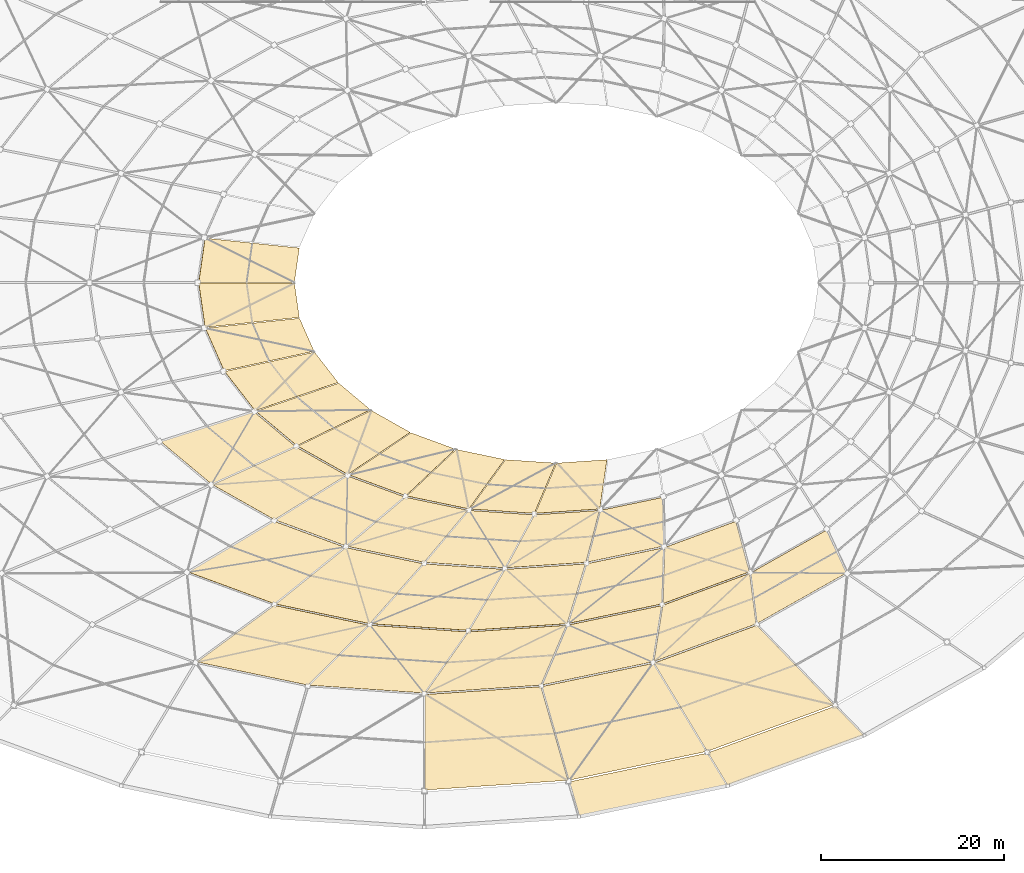
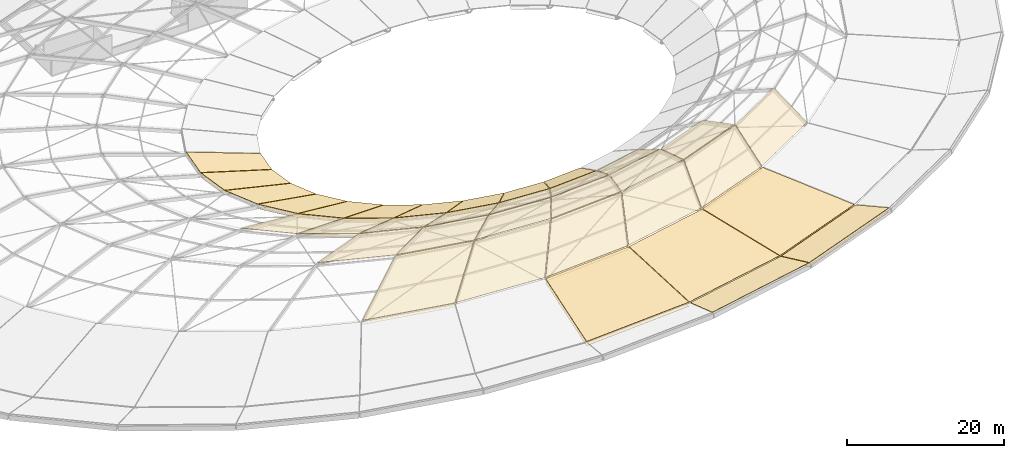
# One storey, part 25 of 30: 51 coverings.
"""IFC4 building model written with IfcOpenShell, lengths in metres."""

import ifcopenshell
import ifcopenshell.guid

model = None  # the IFC model being written
_history = None  # IfcOwnerHistory: only IFC2X3 demands one
_inside = {}  # id of a spatial element -> (the spatial element, [elements in it])
_under = {}  # id of a project, library or spatial element -> (it, [spatial elements below it])
_declared = {}  # id of a project -> (the project, [libraries it declares])
_typed = {}  # id of a type object -> (the type object, [elements of that type])
_made_of = {}  # id of a material, layer set ... -> (it, [elements and type objects made of it])


def new_model(schema):
    """Start an empty IFC model of exactly this schema.

    Asked for "IFC4X3", IfcOpenShell would pick the latest addendum, in which some entities
    have other attributes; the version numbers below select the first issue.
    IFC2X3 requires an IfcOwnerHistory on every rooted entity: one is made here for all.
    """
    global model, _history
    if schema == "IFC4X3":
        model = ifcopenshell.file(schema_version=(4, 3, 0, 0))
    else:
        model = ifcopenshell.file(schema=schema)
    _inside.clear()
    _under.clear()
    _declared.clear()
    _typed.clear()
    _made_of.clear()
    _history = None
    if model.schema == "IFC2X3":
        org = make("IfcOrganization", Name="unknown")
        user = make(
            "IfcPersonAndOrganization",
            ThePerson=make("IfcPerson", FamilyName="unknown"),
            TheOrganization=org,
        )
        app = make(
            "IfcApplication",
            ApplicationDeveloper=org,
            Version="unknown",
            ApplicationFullName="unknown",
            ApplicationIdentifier="unknown",
        )
        _history = make(
            "IfcOwnerHistory",
            OwningUser=user,
            OwningApplication=app,
            ChangeAction="ADDED",
            CreationDate=0,
        )
    return model


def make(cls, **values):
    """One entity of the class cls with the attributes given. An attribute that is None is left unset."""
    return model.create_entity(
        cls, **{name: value for name, value in values.items() if value is not None}
    )


def rooted(cls, **values):
    """An entity with a GlobalId (a new one), such as an element, a storey or a relation."""
    return make(cls, GlobalId=ifcopenshell.guid.new(), OwnerHistory=_history, **values)


def si_unit(unit_type, name, prefix=None):
    """IfcSIUnit, for example si_unit("LENGTHUNIT", "METRE", prefix="MILLI")."""
    return make("IfcSIUnit", UnitType=unit_type, Prefix=prefix, Name=name)


def assignment(units):
    """IfcUnitAssignment: the units of a project."""
    return None if units is None else make("IfcUnitAssignment", Units=units)


def point(xyz):
    """IfcCartesianPoint."""
    return None if xyz is None else make("IfcCartesianPoint", Coordinates=xyz)


def direction(xyz):
    """IfcDirection."""
    return None if xyz is None else make("IfcDirection", DirectionRatios=xyz)


def frame(location, z_axis=None, x_axis=None):
    """IfcAxis2Placement3D, a coordinate frame: its origin and axes. An axis left out is left unset."""
    return make(
        "IfcAxis2Placement3D",
        Location=point(location),
        Axis=direction(z_axis),
        RefDirection=direction(x_axis),
    )


def origin():
    """The frame at (0, 0, 0) with its axes left unset."""
    return frame((0.0, 0.0, 0.0))


def place(relative_to, where):
    """IfcLocalPlacement: puts the frame where relative to a parent placement (None: the world)."""
    return make(
        "IfcLocalPlacement", PlacementRelTo=relative_to, RelativePlacement=where
    )


def context(
    kind, dimensions, precision=None, world=None, true_north=None, identifier=None
):
    """IfcGeometricRepresentationContext, for example the 3D "Model" context."""
    return make(
        "IfcGeometricRepresentationContext",
        ContextIdentifier=identifier,
        ContextType=kind,
        CoordinateSpaceDimension=dimensions,
        Precision=precision,
        WorldCoordinateSystem=world,
        TrueNorth=true_north,
    )


def subcontext(parent, identifier, kind, view, scale=None):
    """IfcGeometricRepresentationSubContext, for example "Body" below "Model"."""
    return make(
        "IfcGeometricRepresentationSubContext",
        ContextIdentifier=identifier,
        ContextType=kind,
        ParentContext=parent,
        TargetScale=scale,
        TargetView=view,
    )


def project(units=None, contexts=None):
    """IfcProject with its units and contexts."""
    return rooted(
        "IfcProject",
        Name="project",
        RepresentationContexts=contexts,
        UnitsInContext=assignment(units),
    )


def spatial(cls, under=None, at=None, **own):
    """A site, building, storey or space (cls), placed at a placement, below another one or the project."""
    s = rooted(cls, ObjectPlacement=at, **own)
    if under is not None:
        _under.setdefault(under.id(), (under, []))[1].append(s)
    return s


def polyline(points):
    """IfcPolyline through the points."""
    return make("IfcPolyline", Points=[point(p) for p in points])


def outline(outer, holes=None, kind="AREA"):
    """IfcArbitraryClosedProfileDef: a profile drawn as a closed curve; with holes, ...WithVoids."""
    if holes is None:
        return make("IfcArbitraryClosedProfileDef", ProfileType=kind, OuterCurve=outer)
    return make(
        "IfcArbitraryProfileDefWithVoids",
        ProfileType=kind,
        OuterCurve=outer,
        InnerCurves=holes,
    )


def extrude(swept, where, along, depth):
    """IfcExtrudedAreaSolid: the profile swept, set in the frame where, extruded along a direction by depth."""
    return make(
        "IfcExtrudedAreaSolid",
        SweptArea=swept,
        Position=where,
        ExtrudedDirection=direction(along),
        Depth=depth,
    )


def shape(context_of_items, identifier, shape_type, items):
    """IfcShapeRepresentation: the items that make up one representation, for example the "Body"."""
    return make(
        "IfcShapeRepresentation",
        ContextOfItems=context_of_items,
        RepresentationIdentifier=identifier,
        RepresentationType=shape_type,
        Items=items,
    )


def material(Name=None, Category=None):
    """IfcMaterial."""
    return make("IfcMaterial", Name=Name, Category=Category)


def layer(
    of_material, thickness, ventilated=None, Name=None, Category=None, Priority=None
):
    """IfcMaterialLayer: one layer of a wall or slab, of a material (None: an air gap)."""
    return make(
        "IfcMaterialLayer",
        Material=of_material,
        LayerThickness=thickness,
        IsVentilated=ventilated,
        Name=Name,
        Category=Category,
        Priority=Priority,
    )


def layer_set(layers, Name=None):
    """IfcMaterialLayerSet."""
    return make("IfcMaterialLayerSet", MaterialLayers=layers, LayerSetName=Name)


def made_of(thing, what):
    """Note that an element or type object is made of a material, layer set ...; save() writes the relation."""
    if what is not None:
        _made_of.setdefault(what.id(), (what, []))[1].append(thing)
    return thing


def type_object(cls, material=None, **own):
    """A type object (cls), such as IfcWallType, which elements share."""
    return made_of(rooted(cls, **own), material)


def element(
    cls,
    number,
    at=None,
    inside=None,
    cuts=None,
    type_object=None,
    material=None,
    context=None,
    identifier="Body",
    shape_type=None,
    held_by="IfcProductDefinitionShape",
    body=None,
    shapes=None,
    **own,
):
    """One element of the class cls, such as IfcWall. Its Tag is "e" and its number.

    at: its placement. inside: the storey or other place that contains it. cuts: it is an
    opening in that element (IfcRelVoidsElement). A single representation is given by context,
    identifier, shape_type and body (its items); several are given by shapes. held_by: the class
    of the entity that holds the representations. save() writes the other relations.
    """
    e = rooted(cls, Tag="e%d" % number, ObjectPlacement=at, **own)
    if body is not None:
        shapes = [shape(context, identifier, shape_type, body)]
    if shapes is not None:
        e.Representation = make(held_by, Representations=shapes)
    if inside is not None:
        _inside.setdefault(inside.id(), (inside, []))[1].append(e)
    if cuts is not None:
        rooted(
            "IfcRelVoidsElement", RelatingBuildingElement=cuts, RelatedOpeningElement=e
        )
    if type_object is not None:
        _typed.setdefault(type_object.id(), (type_object, []))[1].append(e)
    return made_of(e, material)


def aggregate(whole, parts):
    """IfcRelAggregates: a whole, such as a stair, and the parts it consists of."""
    return rooted("IfcRelAggregates", RelatingObject=whole, RelatedObjects=parts)


def save(model, path):
    """Write the relations noted so far, then the file.

    IfcRelAggregates (storeys below a building ...), IfcRelContainedInSpatialStructure (elements
    in a storey), IfcRelDefinesByType, IfcRelAssociatesMaterial and IfcRelDeclares: one each for
    every whole, place, type object, material and project.
    """
    for whole, parts in _under.values():
        aggregate(whole, parts)
    for where, things in _inside.values():
        rooted(
            "IfcRelContainedInSpatialStructure",
            RelatedElements=things,
            RelatingStructure=where,
        )
    for kind, things in _typed.values():
        rooted("IfcRelDefinesByType", RelatedObjects=things, RelatingType=kind)
    for what, things in _made_of.values():
        rooted("IfcRelAssociatesMaterial", RelatedObjects=things, RelatingMaterial=what)
    for by, libraries in _declared.values():
        rooted("IfcRelDeclares", RelatingContext=by, RelatedDefinitions=libraries)
    model.write(path)


model = new_model("IFC4")

# Units and contexts
model_context = context("Model", 3, precision=1e-05, world=origin(), true_north=direction((0.0, 1.0)))
body_context = subcontext(model_context, "Body", "Model", "MODEL_VIEW")
ifc_project = project(units=[si_unit("LENGTHUNIT", "METRE"), si_unit("AREAUNIT", "SQUARE_METRE"), si_unit("VOLUMEUNIT", "CUBIC_METRE"), si_unit("PLANEANGLEUNIT", "RADIAN"), si_unit("MASSUNIT", "GRAM", prefix="KILO")], contexts=[model_context])

# Site, building, storey
site_placement = place(None, origin())
site = spatial("IfcSite", under=ifc_project, at=site_placement, CompositionType="ELEMENT")
building_placement = place(site_placement, origin())
building = spatial("IfcBuilding", under=site, at=building_placement, Name="Namkhue Oval Health Centre", CompositionType="ELEMENT")
storey_placement = place(building_placement, frame((0.0, 0.0, 26.39990234375)))
storey = spatial("IfcBuildingStorey", under=building, at=storey_placement, Name="RF", CompositionType="ELEMENT", Elevation=26.39990234375)

# Coverings
ifc_material_1 = material(Name="Slatted FSC timber acoustic soffit lining", Category="wood")
ifc_layer_1 = layer(ifc_material_1, 0.0400390625)
ifc_layer_set_1 = layer_set([ifc_layer_1], Name="Slatted FSC timber acoustic soffit lining")
covering_type_1 = type_object("IfcCoveringType", Name="SLATTED TIMBER SOFFIT CEILING 40", PredefinedType="CEILING", material=ifc_layer_set_1)
covering_1_placement = place(storey_placement, frame((119.456787109375, 4.614501953125, 0.491455078125), z_axis=(-0.032737865834, 0.089089234545, 0.995485479768), x_axis=(0.938632395912, 0.344919157693, 2.38785e-07)))
element("IfcCovering", 1, at=covering_1_placement, inside=storey, type_object=covering_type_1, Name="Gridshell Canopy Slatted Timber Soffit K0-27", PredefinedType="CEILING", context=body_context, shape_type="SweptSolid", body=[
    extrude(outline(polyline([(0.0, 0.0), (15.802786855641859, 0.0), (14.014443752002366, 4.033293430768836), (-0.7724111872031211, 4.033216473355179), (0.0, 0.0)])), origin(), (0.0, 0.0, -1.0), 0.0400390625),
])
covering_2_placement = place(storey_placement, frame((86.44189453125, 4.048583984375, 0.12841796875), z_axis=(0.021238444788, -0.313652795829, 0.949300190736), x_axis=(0.997715412288, 0.067557057976, -4.88345e-07)))
element("IfcCovering", 2, at=covering_2_placement, inside=storey, type_object=covering_type_1, Name="Gridshell Canopy Slatted Timber Soffit K1-25", PredefinedType="CEILING", context=body_context, shape_type="SweptSolid", body=[
    extrude(outline(polyline([(0.0, 0.0), (15.658820653163021, 0.0), (13.398829849842608, 10.953190755627272), (0.7040530386198081, 10.953146711024324), (0.0, 0.0)])), origin(), (0.0, 0.0, -1.0), 0.0400390625),
])
covering_3_placement = place(storey_placement, frame((117.254638671875, 8.269775390625, 0.126953125), z_axis=(0.102714186374, -0.279510060392, 0.954632872919), x_axis=(0.938629998864, 0.344925680737, -4.38688e-07)))
element("IfcCovering", 3, at=covering_3_placement, inside=storey, type_object=covering_type_1, Name="Gridshell Canopy Slatted Timber Soffit K1-27", PredefinedType="CEILING", context=body_context, shape_type="SweptSolid", body=[
    extrude(outline(polyline([(0.0, 0.0), (14.742906242601615, 0.0), (9.822494706764079, 11.573081366463832), (-2.1258785047468853, 11.573042045665932), (0.0, 0.0)])), origin(), (0.0, 0.0, -1.0), 0.0400390625),
])
covering_4_placement = place(storey_placement, frame((61.579833984375, 18.021484375, 3.635498046875), z_axis=(-0.080413204078, -0.385580914451, 0.91916324721), x_axis=(0.978937756153, -0.204158932154, -2.89598e-07)))
element("IfcCovering", 4, at=covering_4_placement, inside=storey, type_object=covering_type_1, Name="Gridshell Canopy Slatted Timber Soffit K2-23", PredefinedType="CEILING", context=body_context, shape_type="SweptSolid", body=[
    extrude(outline(polyline([(0.0, 0.0), (12.376896462438847, 0.0), (17.49653474468539, 8.452152352532647), (6.983857887341988, 8.452135522959173), (0.0, 0.0)])), origin(), (0.0, 0.0, -1.0), 0.0400390625),
])
covering_5_placement = place(storey_placement, frame((86.510498046875, 14.640380859375, 3.641845703125), z_axis=(0.031343611739, -0.462922899035, 0.885844211785), x_axis=(0.997715353297, 0.067557929143, 2.381628e-06)))
element("IfcCovering", 5, at=covering_5_placement, inside=storey, type_object=covering_type_1, Name="Gridshell Canopy Slatted Timber Soffit K2-25", PredefinedType="CEILING", context=body_context, shape_type="SweptSolid", body=[
    extrude(outline(polyline([(0.0, 0.0), (12.633600706944938, 1.1102230246251565e-16), (15.859992951473066, 7.14761091480539), (5.121600575603346, 7.147730883479877), (0.0, 0.0)])), origin(), (0.0, 0.0, -1.0), 0.0400390625),
])
covering_6_placement = place(storey_placement, frame((111.420654296875, 18.06982421875, 3.64697265625), z_axis=(0.179483811166, -0.488438731913, 0.853939791026), x_axis=(0.938632131037, 0.344919878483, 3.461481e-06)))
element("IfcCovering", 6, at=covering_6_placement, inside=storey, type_object=covering_type_1, Name="Gridshell Canopy Slatted Timber Soffit K2-27", PredefinedType="CEILING", context=body_context, shape_type="SweptSolid", body=[
    extrude(outline(polyline([(0.0, 0.0), (11.900481886786173, 0.0), (13.148326695853418, 6.353823998407208), (3.0275309748242623, 6.35397048257995), (0.0, 0.0)])), origin(), (0.0, 0.0, -1.0), 0.0400390625),
])
covering_7_placement = place(storey_placement, frame((70.178466796875, 24.337158203125, 6.9755859375), z_axis=(0.055610028677, 0.266652874974, 0.962186971944), x_axis=(0.978940117698, -0.204147608253, -2.433371e-06)))
element("IfcCovering", 7, at=covering_7_placement, inside=storey, type_object=covering_type_1, Name="Gridshell Canopy Slatted Timber Soffit K3-23", PredefinedType="CEILING", context=body_context, shape_type="SweptSolid", body=[
    extrude(outline(polyline([(0.0, 0.0), (10.473748260753048, 4.440892098500626e-16), (14.820163311420766, 7.896193026740707), (6.208095142722786, 7.896363528223125), (0.0, 0.0)])), origin(), (0.0, 0.0, -1.0), 0.0400390625),
])
covering_8_placement = place(storey_placement, frame((91.302001953125, 21.476318359375, 6.971435546875), z_axis=(-0.021523960169, 0.317867471834, 0.947890810953), x_axis=(0.997715029817, 0.067562706255, -1.274478e-06)))
element("IfcCovering", 8, at=covering_8_placement, inside=storey, type_object=covering_type_1, Name="Gridshell Canopy Slatted Timber Soffit K3-25", PredefinedType="CEILING", context=body_context, shape_type="SweptSolid", body=[
    extrude(outline(polyline([(0.0, 0.0), (10.69240087662923, -2.220446049250313e-16), (13.136484870799743, 6.72502357829837), (4.336352837834855, 6.725101554353777), (0.0, 0.0)])), origin(), (0.0, 0.0, -1.0), 0.0400390625),
])
covering_9_placement = place(storey_placement, frame((112.40576171875, 24.384033203125, 6.968505859375), z_axis=(-0.12131255381, 0.330129857962, 0.93610765469), x_axis=(0.938633589402, 0.344915909818, 1.065588e-06)))
element("IfcCovering", 9, at=covering_9_placement, inside=storey, type_object=covering_type_1, Name="Gridshell Canopy Slatted Timber Soffit K3-27", PredefinedType="CEILING", context=body_context, shape_type="SweptSolid", body=[
    extrude(outline(polyline([(0.0, 0.0), (10.071674396879002, 0.0), (10.588629558302385, 6.075198719519464), (2.2944712257604984, 6.075143076469438), (0.0, 0.0)])), origin(), (0.0, 0.0, -1.0), 0.0400390625),
])
covering_10_placement = place(storey_placement, frame((63.263916015625, 37.366455078125, 4.765869140625), z_axis=(0.187586071136, 0.33246886891, 0.924270478335), x_axis=(0.870930821163, -0.491405641747, 2.798871e-06)))
element("IfcCovering", 10, at=covering_10_placement, inside=storey, type_object=covering_type_1, Name="Gridshell Canopy Slatted Timber Soffit K4-21", PredefinedType="CEILING", context=body_context, shape_type="SweptSolid", body=[
    extrude(outline(polyline([(0.0, 0.0), (7.779206727676906, 0.0), (12.228129202436454, 8.72738661241953), (5.92179558564076, 8.72728333847889), (0.0, 0.0)])), origin(), (0.0, 0.0, -1.0), 0.0400390625),
])
covering_11_placement = place(storey_placement, frame((77.969482421875, 30.64404296875, 4.75927734375), z_axis=(0.09237332991, 0.44294963842, 0.891775075759), x_axis=(0.978940994098, -0.204143405636, -3.130495e-06)))
element("IfcCovering", 11, at=covering_11_placement, inside=storey, type_object=covering_type_1, Name="Gridshell Canopy Slatted Timber Soffit K4-23", PredefinedType="CEILING", context=body_context, shape_type="SweptSolid", body=[
    extrude(outline(polyline([(0.0, 0.0), (8.574862406855681, 0.0), (12.08195104082584, 7.333648203161249), (5.123376310670168, 7.333755671917631), (0.0, 0.0)])), origin(), (0.0, 0.0, -1.0), 0.0400390625),
])
covering_12_placement = place(storey_placement, frame((95.291015625, 28.298583984375, 4.754150390625), z_axis=(-0.034566961164, 0.510443254115, 0.859216392723), x_axis=(0.997714802373, 0.067566064893, -7.83511e-07)))
element("IfcCovering", 12, at=covering_12_placement, inside=storey, type_object=covering_type_1, Name="Gridshell Canopy Slatted Timber Soffit K4-25", PredefinedType="CEILING", context=body_context, shape_type="SweptSolid", body=[
    extrude(outline(polyline([(0.0, 0.0), (8.755114865561646, 0.0), (10.608117985069399, 6.466022949484593), (3.496653726701597, 6.46604724842311), (0.0, 0.0)])), origin(), (0.0, 0.0, -1.0), 0.0400390625),
])
covering_13_placement = place(storey_placement, frame((61.77294921875, 59.358154296875, 1.373779296875), z_axis=(0.288553640972, 0.04133804045, 0.956570939708), x_axis=(0.1418260815, -0.98989159133, -4.446673e-06)))
element("IfcCovering", 13, at=covering_13_placement, inside=storey, type_object=covering_type_1, Name="Gridshell Canopy Slatted Timber Soffit K5-17", PredefinedType="CEILING", context=body_context, shape_type="SweptSolid", body=[
    extrude(outline(polyline([(0.0, 0.0), (4.881868390119005, 0.0), (5.267866877000572, 10.797397778945612), (1.4798389642702923, 10.797530033635237), (0.0, 0.0)])), origin(), (0.0, 0.0, -1.0), 0.0400390625),
])
covering_14_placement = place(storey_placement, frame((64.595703125, 49.72265625, 1.37060546875), z_axis=(0.259179915108, 0.201505857524, 0.944574592601), x_axis=(0.613788371942, -0.789470603929, 1.411112e-06)))
element("IfcCovering", 14, at=covering_14_placement, inside=storey, type_object=covering_type_1, Name="Gridshell Canopy Slatted Timber Soffit K5-19", PredefinedType="CEILING", context=body_context, shape_type="SweptSolid", body=[
    extrude(outline(polyline([(0.0, 0.0), (5.4266467080413126, 0.0), (8.554836088978838, 9.567197981122431), (4.341017616937931, 9.567156543686364), (0.0, 0.0)])), origin(), (0.0, 0.0, -1.0), 0.0400390625),
])
covering_15_placement = place(storey_placement, frame((72.56884765625, 41.568603515625, 1.36474609375), z_axis=(0.19269763234, 0.341532485424, 0.919903899269), x_axis=(0.870943150522, -0.491383789443, -5.605045e-06)))
element("IfcCovering", 15, at=covering_15_placement, inside=storey, type_object=covering_type_1, Name="Gridshell Canopy Slatted Timber Soffit K5-21", PredefinedType="CEILING", context=body_context, shape_type="SweptSolid", body=[
    extrude(outline(polyline([(0.0, 0.0), (6.2771417884429805, 4.440892098500626e-16), (9.950701344891142, 7.9800781889154), (5.070001749865041, 7.980237671706608), (0.0, 0.0)])), origin(), (0.0, 0.0, -1.0), 0.0400390625),
])
covering_16_placement = place(storey_placement, frame((84.467529296875, 36.133544921875, 1.35888671875), z_axis=(0.093220827008, 0.446980056688, 0.889673370589), x_axis=(0.978938301925, -0.204156315128, -4.087777e-06)))
element("IfcCovering", 16, at=covering_16_placement, inside=storey, type_object=covering_type_1, Name="Gridshell Canopy Slatted Timber Soffit K5-23", PredefinedType="CEILING", context=body_context, shape_type="SweptSolid", body=[
    extrude(outline(polyline([(0.0, 0.0), (6.921657808495919, 0.0), (9.637121303079743, 6.827974884694273), (4.247958637408714, 6.828085099674407), (0.0, 0.0)])), origin(), (0.0, 0.0, -1.0), 0.0400390625),
])
covering_17_placement = place(storey_placement, frame((98.479736328125, 34.23828125, 1.354736328125), z_axis=(-0.034127282702, 0.503938691591, 0.863064959139), x_axis=(0.99771535085, 0.067557965136, 4.914203e-06)))
element("IfcCovering", 17, at=covering_17_placement, inside=storey, type_object=covering_type_1, Name="Gridshell Canopy Slatted Timber Soffit K5-25", PredefinedType="CEILING", context=body_context, shape_type="SweptSolid", body=[
    extrude(outline(polyline([(0.0, 0.0), (7.068882918743244, -5.551115123125783e-17), (8.206262934054845, 6.155641766272901), (2.697085857424408, 6.155519390485666), (0.0, 0.0)])), origin(), (0.0, 0.0, -1.0), 0.0400390625),
])
ifc_material_2 = material(Name="Standing-seam aluminium-zinc insulated roofing", Category="aluminium")
ifc_layer_2 = layer(ifc_material_2, 0.044921875)
ifc_layer_set_2 = layer_set([ifc_layer_2], Name="Standing-seam aluminium-zinc insulated roofing")
covering_type_2 = type_object("IfcCoveringType", Name="STANDING SEAM ROOFING 45", PredefinedType="ROOFING", material=ifc_layer_set_2)
covering_18_placement = place(storey_placement, frame((103.27197265625, 1.236328125, 1.13818359375), z_axis=(-0.020149829324, 0.096618215905, 0.995117533125), x_axis=(0.978939258948, 0.204151726149, 6.86785e-07)))
element("IfcCovering", 18, at=covering_18_placement, inside=storey, type_object=covering_type_2, Name="Elliptical Gridshell Standing Seam Roofing K0-26", PredefinedType="ROOFING", context=body_context, shape_type="SweptSolid", body=[
    extrude(outline(polyline([(0.0, 0.0), (16.445724143266, 8.881784197001252e-16), (15.097614440311212, 3.8713486409734577), (-0.2934730338071027, 3.871127103781714), (0.0, 0.0)])), origin(), (0.0, 0.0, -1.0), 0.044921875),
])
covering_19_placement = place(storey_placement, frame((119.456787109375, 4.614501953125, 1.138671875), z_axis=(-0.032758556308, 0.089145539327, 0.995479758612), x_axis=(0.938632395903, 0.34491915772, 2.38934e-07)))
element("IfcCovering", 19, at=covering_19_placement, inside=storey, type_object=covering_type_2, Name="Elliptical Gridshell Standing Seam Roofing K0-27", PredefinedType="ROOFING", context=body_context, shape_type="SweptSolid", body=[
    extrude(outline(polyline([(0.0, 0.0), (15.802786855641859, 0.0), (14.014443752002366, 4.03331661024196), (-0.7724111872031222, 4.033239653270585), (0.0, 0.0)])), origin(), (0.0, 0.0, -1.0), 0.044921875),
])
covering_20_placement = place(storey_placement, frame((86.44189453125, 4.048583984375, 0.7802734375), z_axis=(0.021239801798, -0.31367283637, 0.949293538661), x_axis=(0.997715412287, 0.067557057996, -4.88373e-07)))
element("IfcCovering", 20, at=covering_20_placement, inside=storey, type_object=covering_type_2, Name="Elliptical Gridshell Standing Seam Roofing K1-25", PredefinedType="ROOFING", context=body_context, shape_type="SweptSolid", body=[
    extrude(outline(polyline([(0.0, 0.0), (15.658820653163021, 2.220446049250313e-16), (13.39882984984261, 10.953267508674442), (0.7040530386198077, 10.95322346438013), (0.0, 0.0)])), origin(), (0.0, 0.0, -1.0), 0.044921875),
])
covering_21_placement = place(storey_placement, frame((102.1494140625, 5.1162109375, 0.77978515625), z_axis=(0.063026843037, -0.302201666942, 0.951158120164), x_axis=(0.978936194296, 0.204166421083, 1.83906e-07)))
element("IfcCovering", 21, at=covering_21_placement, inside=storey, type_object=covering_type_2, Name="Elliptical Gridshell Standing Seam Roofing K1-26", PredefinedType="ROOFING", context=body_context, shape_type="SweptSolid", body=[
    extrude(outline(polyline([(0.0, 0.0), (15.34320602890022, -8.881784197001252e-16), (11.62909773799289, 11.15818602732448), (-0.8084173722132988, 11.158202577315773), (0.0, 0.0)])), origin(), (0.0, 0.0, -1.0), 0.044921875),
])
covering_22_placement = place(storey_placement, frame((117.254638671875, 8.269775390625, 0.77880859375), z_axis=(0.102720817503, -0.279528105291, 0.954626875802), x_axis=(0.938629998858, 0.344925680754, -4.38714e-07)))
element("IfcCovering", 22, at=covering_22_placement, inside=storey, type_object=covering_type_2, Name="Elliptical Gridshell Standing Seam Roofing K1-27", PredefinedType="ROOFING", context=body_context, shape_type="SweptSolid", body=[
    extrude(outline(polyline([(0.0, 0.0), (14.742906242601617, -8.881784197001252e-16), (9.822494706764077, 11.573154070206115), (-2.1258785047468858, 11.573114749655232), (0.0, 0.0)])), origin(), (0.0, 0.0, -1.0), 0.044921875),
])
covering_23_placement = place(storey_placement, frame((61.579833984375, 18.021484375, 4.29248046875), z_axis=(-0.080413204078, -0.385580914451, 0.91916324721), x_axis=(0.978937756153, -0.204158932154, -2.89598e-07)))
element("IfcCovering", 23, at=covering_23_placement, inside=storey, type_object=covering_type_2, Name="Elliptical Gridshell Standing Seam Roofing K2-23", PredefinedType="ROOFING", context=body_context, shape_type="SweptSolid", body=[
    extrude(outline(polyline([(0.0, 0.0), (12.376896462438847, 0.0), (17.49653474468539, 8.452152352532647), (6.983857887341988, 8.452135522959173), (0.0, 0.0)])), origin(), (0.0, 0.0, -1.0), 0.044921875),
])
covering_24_placement = place(storey_placement, frame((73.803955078125, 15.4873046875, 4.2958984375), z_axis=(-0.029043785476, -0.42895402454, 0.902859293221), x_axis=(0.997715823972, -0.067550977737, 1.307619e-06)))
element("IfcCovering", 24, at=covering_24_placement, inside=storey, type_object=covering_type_2, Name="Elliptical Gridshell Standing Seam Roofing K2-24", PredefinedType="ROOFING", context=body_context, shape_type="SweptSolid", body=[
    extrude(outline(polyline([(0.0, 0.0), (12.6316355508969, 0.0), (16.860903923196037, 7.727863046508614), (6.12788686387978, 7.727934108379321), (0.0, 0.0)])), origin(), (0.0, 0.0, -1.0), 0.044921875),
])
covering_25_placement = place(storey_placement, frame((86.510498046875, 14.640380859375, 4.298828125), z_axis=(0.031343611739, -0.462922899035, 0.885844211785), x_axis=(0.997715353297, 0.067557929143, 2.381628e-06)))
element("IfcCovering", 25, at=covering_25_placement, inside=storey, type_object=covering_type_2, Name="Elliptical Gridshell Standing Seam Roofing K2-25", PredefinedType="ROOFING", context=body_context, shape_type="SweptSolid", body=[
    extrude(outline(polyline([(0.0, 0.0), (12.633600706944938, 1.1102230246251565e-16), (15.859992951473066, 7.14761091480539), (5.121600575603346, 7.147730883479877), (0.0, 0.0)])), origin(), (0.0, 0.0, -1.0), 0.044921875),
])
covering_26_placement = place(storey_placement, frame((99.211669921875, 15.512451171875, 4.301513671875), z_axis=(0.100973028115, -0.484192998993, 0.869115405064), x_axis=(0.978939474351, 0.204150693244, 2.132447e-06)))
element("IfcCovering", 26, at=covering_26_placement, inside=storey, type_object=covering_type_2, Name="Elliptical Gridshell Standing Seam Roofing K2-26", PredefinedType="ROOFING", context=body_context, shape_type="SweptSolid", body=[
    extrude(outline(polyline([(0.0, 0.0), (12.382114804668541, 0.0), (14.58775799063613, 6.694180011940769), (4.059904103209848, 6.694278785412251), (0.0, 0.0)])), origin(), (0.0, 0.0, -1.0), 0.044921875),
])
covering_27_placement = place(storey_placement, frame((111.420654296875, 18.06982421875, 4.303955078125), z_axis=(0.179483811166, -0.488438731913, 0.853939791026), x_axis=(0.938632131037, 0.344919878483, 3.461481e-06)))
element("IfcCovering", 27, at=covering_27_placement, inside=storey, type_object=covering_type_2, Name="Elliptical Gridshell Standing Seam Roofing K2-27", PredefinedType="ROOFING", context=body_context, shape_type="SweptSolid", body=[
    extrude(outline(polyline([(0.0, 0.0), (11.900481886786173, 0.0), (13.148326695853418, 6.353823998407208), (3.0275309748242623, 6.35397048257995), (0.0, 0.0)])), origin(), (0.0, 0.0, -1.0), 0.044921875),
])
covering_28_placement = place(storey_placement, frame((122.66943359375, 22.214111328125, 4.3056640625), z_axis=(0.265310414489, -0.470222179844, 0.841725302903), x_axis=(0.870932391499, 0.491402858595, 1.294447e-06)))
element("IfcCovering", 28, at=covering_28_placement, inside=storey, type_object=covering_type_2, Name="Elliptical Gridshell Standing Seam Roofing K2-28", PredefinedType="ROOFING", context=body_context, shape_type="SweptSolid", body=[
    extrude(outline(polyline([(0.0, 0.0), (11.238634156316959, -8.881784197001252e-16), (11.66131769916411, 6.117211394065263), (2.1018404488854636, 6.1172612584110615), (0.0, 0.0)])), origin(), (0.0, 0.0, -1.0), 0.044921875),
])
covering_29_placement = place(storey_placement, frame((60.625732421875, 27.829833984375, 7.639892578125), z_axis=(0.085344854911, 0.232248042731, 0.968905104945), x_axis=(0.938631459839, -0.344921705029, 2.594e-08)))
element("IfcCovering", 29, at=covering_29_placement, inside=storey, type_object=covering_type_2, Name="Elliptical Gridshell Standing Seam Roofing K3-22", PredefinedType="ROOFING", context=body_context, shape_type="SweptSolid", body=[
    extrude(outline(polyline([(0.0, 0.0), (10.064415876666445, 4.440892098500626e-16), (15.107041857674576, 8.71153543695095), (6.835514977958846, 8.711533514666815), (0.0, 0.0)])), origin(), (0.0, 0.0, -1.0), 0.044921875),
])
covering_30_placement = place(storey_placement, frame((70.178466796875, 24.337158203125, 7.6376953125), z_axis=(0.055615872414, 0.266680895987, 0.962178868221), x_axis=(0.978940117668, -0.204147608395, -2.433606e-06)))
element("IfcCovering", 30, at=covering_30_placement, inside=storey, type_object=covering_type_2, Name="Elliptical Gridshell Standing Seam Roofing K3-23", PredefinedType="ROOFING", context=body_context, shape_type="SweptSolid", body=[
    extrude(outline(polyline([(0.0, 0.0), (10.473748260753041, 0.0), (14.820163311420774, 7.896259532778407), (6.208095142722775, 7.896430032824829), (0.0, 0.0)])), origin(), (0.0, 0.0, -1.0), 0.044921875),
])
covering_31_placement = place(storey_placement, frame((80.536376953125, 22.192138671875, 7.635498046875), z_axis=(0.020034310618, 0.295855344444, 0.955022639293), x_axis=(0.997715556848, -0.067554922981, -2.155307e-06)))
element("IfcCovering", 31, at=covering_31_placement, inside=storey, type_object=covering_type_2, Name="Elliptical Gridshell Standing Seam Roofing K3-24", PredefinedType="ROOFING", context=body_context, shape_type="SweptSolid", body=[
    extrude(outline(polyline([(0.0, 0.0), (10.690192137254286, -1.1102230246251565e-16), (14.13384030402191, 7.23932515257774), (5.339570753217782, 7.239466772575852), (0.0, 0.0)])), origin(), (0.0, 0.0, -1.0), 0.044921875),
])
covering_32_placement = place(storey_placement, frame((91.302001953125, 21.476318359375, 7.633544921875), z_axis=(-0.021526163778, 0.317900014908, 0.947879847235), x_axis=(0.997715029822, 0.067562706168, -1.274594e-06)))
element("IfcCovering", 32, at=covering_32_placement, inside=storey, type_object=covering_type_2, Name="Elliptical Gridshell Standing Seam Roofing K3-25", PredefinedType="ROOFING", context=body_context, shape_type="SweptSolid", body=[
    extrude(outline(polyline([(0.0, 0.0), (10.692400876629227, -1.1102230246251565e-16), (13.136484870799745, 6.725101364960879), (4.336352837834852, 6.725179340114382), (0.0, 0.0)])), origin(), (0.0, 0.0, -1.0), 0.044921875),
])
covering_33_placement = place(storey_placement, frame((102.0625, 22.216552734375, 7.6318359375), z_axis=(-0.068891392796, 0.33032860212, 0.94134849584), x_axis=(0.97893580932, 0.20416826694, -2.514322e-06)))
element("IfcCovering", 33, at=covering_33_placement, inside=storey, type_object=covering_type_2, Name="Elliptical Gridshell Standing Seam Roofing K3-26", PredefinedType="ROOFING", context=body_context, shape_type="SweptSolid", body=[
    extrude(outline(polyline([(0.0, 0.0), (10.47978328488399, -2.220446049250313e-16), (11.92080332217335, 6.340090400196651), (3.292552286771643, 6.340232779075506), (0.0, 0.0)])), origin(), (0.0, 0.0, -1.0), 0.044921875),
])
covering_34_placement = place(storey_placement, frame((112.40576171875, 24.384033203125, 7.63037109375), z_axis=(-0.12131255381, 0.330129857962, 0.93610765469), x_axis=(0.938633589402, 0.344915909818, 1.065588e-06)))
element("IfcCovering", 34, at=covering_34_placement, inside=storey, type_object=covering_type_2, Name="Elliptical Gridshell Standing Seam Roofing K3-27", PredefinedType="ROOFING", context=body_context, shape_type="SweptSolid", body=[
    extrude(outline(polyline([(0.0, 0.0), (10.071674396879002, 0.0), (10.588629558302385, 6.075198719519464), (2.2944712257604984, 6.075143076469438), (0.0, 0.0)])), origin(), (0.0, 0.0, -1.0), 0.044921875),
])
covering_35_placement = place(storey_placement, frame((57.617431640625, 42.073486328125, 5.435791015625), z_axis=(0.222645576398, 0.265766350557, 0.937975049893), x_axis=(0.766554448644, -0.642179318621, -3.23192e-07)))
element("IfcCovering", 35, at=covering_35_placement, inside=storey, type_object=covering_type_2, Name="Elliptical Gridshell Standing Seam Roofing K4-20", PredefinedType="ROOFING", context=body_context, shape_type="SweptSolid", body=[
    extrude(outline(polyline([(0.0, 0.0), (7.251081854572319, 0.0), (11.608449933762902, 9.626109017477114), (5.733237750145161, 9.62612125364732), (0.0, 0.0)])), origin(), (0.0, 0.0, -1.0), 0.044921875),
])
covering_36_placement = place(storey_placement, frame((63.263916015625, 37.366455078125, 5.432861328125), z_axis=(0.187574327561, 0.33244805514, 0.924280348311), x_axis=(0.870930821092, -0.491405641873, 2.798726e-06)))
element("IfcCovering", 36, at=covering_36_placement, inside=storey, type_object=covering_type_2, Name="Elliptical Gridshell Standing Seam Roofing K4-21", PredefinedType="ROOFING", context=body_context, shape_type="SweptSolid", body=[
    extrude(outline(polyline([(0.0, 0.0), (7.77920672767691, 0.0), (12.228129202436447, 8.727293418481999), (5.921795585640764, 8.72719014343853), (0.0, 0.0)])), origin(), (0.0, 0.0, -1.0), 0.044921875),
])
covering_37_placement = place(storey_placement, frame((70.13623046875, 33.50732421875, 5.429443359375), z_axis=(0.144078488112, 0.392073927517, 0.908580995082), x_axis=(0.93863388904, -0.344915094361, -5.212433e-06)))
element("IfcCovering", 37, at=covering_37_placement, inside=storey, type_object=covering_type_2, Name="Elliptical Gridshell Standing Seam Roofing K4-22", PredefinedType="ROOFING", context=body_context, shape_type="SweptSolid", body=[
    extrude(outline(polyline([(0.0, 0.0), (8.238465963068284, 0.0), (12.359386725307944, 7.95923676961991), (5.677294924696245, 7.959422957748329), (0.0, 0.0)])), origin(), (0.0, 0.0, -1.0), 0.044921875),
])
covering_38_placement = place(storey_placement, frame((77.969482421875, 30.64404296875, 5.42626953125), z_axis=(0.09237332991, 0.44294963842, 0.891775075759), x_axis=(0.978940994098, -0.204143405636, -3.130495e-06)))
element("IfcCovering", 38, at=covering_38_placement, inside=storey, type_object=covering_type_2, Name="Elliptical Gridshell Standing Seam Roofing K4-23", PredefinedType="ROOFING", context=body_context, shape_type="SweptSolid", body=[
    extrude(outline(polyline([(0.0, 0.0), (8.574862406855681, 0.0), (12.08195104082584, 7.333648203161249), (5.123376310670168, 7.333755671917631), (0.0, 0.0)])), origin(), (0.0, 0.0, -1.0), 0.044921875),
])
covering_39_placement = place(storey_placement, frame((86.463134765625, 28.885498046875, 5.423583984375), z_axis=(0.032712777374, 0.483184421132, 0.874907246153), x_axis=(0.997715629729, -0.067553846542, 3.334021e-06)))
element("IfcCovering", 39, at=covering_39_placement, inside=storey, type_object=covering_type_2, Name="Elliptical Gridshell Standing Seam Roofing K4-24", PredefinedType="ROOFING", context=body_context, shape_type="SweptSolid", body=[
    extrude(outline(polyline([(0.0, 0.0), (8.752906125914095, -1.1102230246251565e-16), (11.472701542089103, 6.840989807741197), (4.365898344693709, 6.840880624111213), (0.0, 0.0)])), origin(), (0.0, 0.0, -1.0), 0.044921875),
])
covering_40_placement = place(storey_placement, frame((95.291015625, 28.298583984375, 5.421142578125), z_axis=(-0.034566961164, 0.510443254115, 0.859216392723), x_axis=(0.997714802373, 0.067566064893, -7.83511e-07)))
element("IfcCovering", 40, at=covering_40_placement, inside=storey, type_object=covering_type_2, Name="Elliptical Gridshell Standing Seam Roofing K4-25", PredefinedType="ROOFING", context=body_context, shape_type="SweptSolid", body=[
    extrude(outline(polyline([(0.0, 0.0), (8.755114865561646, 0.0), (10.608117985069399, 6.466022949484593), (3.496653726701597, 6.46604724842311), (0.0, 0.0)])), origin(), (0.0, 0.0, -1.0), 0.044921875),
])
covering_41_placement = place(storey_placement, frame((104.115234375, 28.90576171875, 5.419189453125), z_axis=(-0.1088721832, 0.522035672835, 0.845946572789), x_axis=(0.978936163651, 0.204166567982, -3.917904e-06)))
element("IfcCovering", 41, at=covering_41_placement, inside=storey, type_object=covering_type_2, Name="Elliptical Gridshell Standing Seam Roofing K4-26", PredefinedType="ROOFING", context=body_context, shape_type="SweptSolid", body=[
    extrude(outline(polyline([(0.0, 0.0), (8.580897430314359, -2.220446049250313e-16), (9.568586241866546, 6.196066225170458), (2.596557315510753, 6.196180492113777), (0.0, 0.0)])), origin(), (0.0, 0.0, -1.0), 0.044921875),
])
covering_42_placement = place(storey_placement, frame((62.46533203125, 64.2744140625, 2.0458984375), z_axis=(0.288553640972, -0.04133804045, 0.956570939708), x_axis=(-0.1418260815, -0.98989159133, 4.446673e-06)))
element("IfcCovering", 42, at=covering_42_placement, inside=storey, type_object=covering_type_2, Name="Elliptical Gridshell Standing Seam Roofing K5-16", PredefinedType="ROOFING", context=body_context, shape_type="SweptSolid", body=[
    extrude(outline(polyline([(0.0, 0.0), (4.881868390119005, 0.0), (3.402029425848714, 10.797530033635237), (-0.38599848688156824, 10.797397778945612), (0.0, 0.0)])), origin(), (0.0, 0.0, -1.0), 0.044921875),
])
covering_43_placement = place(storey_placement, frame((61.77294921875, 59.358154296875, 2.0458984375), z_axis=(0.288553640972, 0.04133804045, 0.956570939708), x_axis=(0.1418260815, -0.98989159133, -4.446673e-06)))
element("IfcCovering", 43, at=covering_43_placement, inside=storey, type_object=covering_type_2, Name="Elliptical Gridshell Standing Seam Roofing K5-17", PredefinedType="ROOFING", context=body_context, shape_type="SweptSolid", body=[
    extrude(outline(polyline([(0.0, 0.0), (4.881868390119005, 0.0), (5.267866877000572, 10.797397778945612), (1.4798389642702923, 10.797530033635237), (0.0, 0.0)])), origin(), (0.0, 0.0, -1.0), 0.044921875),
])
covering_44_placement = place(storey_placement, frame((62.492919921875, 54.444091796875, 2.044677734375), z_axis=(0.278713974958, 0.122972473733, 0.952468524869), x_axis=(0.403686878557, -0.914897209549, -6.300986e-06)))
element("IfcCovering", 44, at=covering_44_placement, inside=storey, type_object=covering_type_2, Name="Elliptical Gridshell Standing Seam Roofing K5-18", PredefinedType="ROOFING", context=body_context, shape_type="SweptSolid", body=[
    extrude(outline(polyline([(0.0, 0.0), (5.079500604680735, 4.440892098500626e-16), (7.098801235097734, 10.324480671458279), (3.156437356114151, 10.324667275977221), (0.0, 0.0)])), origin(), (0.0, 0.0, -1.0), 0.044921875),
])
covering_45_placement = place(storey_placement, frame((64.595703125, 49.72265625, 2.04248046875), z_axis=(0.259179915108, 0.201505857524, 0.944574592601), x_axis=(0.613788371942, -0.789470603929, 1.411112e-06)))
element("IfcCovering", 45, at=covering_45_placement, inside=storey, type_object=covering_type_2, Name="Elliptical Gridshell Standing Seam Roofing K5-19", PredefinedType="ROOFING", context=body_context, shape_type="SweptSolid", body=[
    extrude(outline(polyline([(0.0, 0.0), (5.4266467080413126, 0.0), (8.554836088978838, 9.567197981122431), (4.341017616937931, 9.567156543686364), (0.0, 0.0)])), origin(), (0.0, 0.0, -1.0), 0.044921875),
])
covering_46_placement = place(storey_placement, frame((67.99853515625, 45.375244140625, 2.039794921875), z_axis=(0.230358929136, 0.274986653795, 0.933443680145), x_axis=(0.76656977037, -0.642161028991, -5.12993e-07)))
element("IfcCovering", 46, at=covering_46_placement, inside=storey, type_object=covering_type_2, Name="Elliptical Gridshell Standing Seam Roofing K5-20", PredefinedType="ROOFING", context=body_context, shape_type="SweptSolid", body=[
    extrude(outline(polyline([(0.0, 0.0), (5.849923167782908, 0.0), (9.501229212591392, 8.740684540689616), (4.95612367193314, 8.740699406104671), (0.0, 0.0)])), origin(), (0.0, 0.0, -1.0), 0.044921875),
])
covering_47_placement = place(storey_placement, frame((72.56884765625, 41.568603515625, 2.036865234375), z_axis=(0.19269763234, 0.341532485424, 0.919903899269), x_axis=(0.870943150522, -0.491383789443, -5.605045e-06)))
element("IfcCovering", 47, at=covering_47_placement, inside=storey, type_object=covering_type_2, Name="Elliptical Gridshell Standing Seam Roofing K5-21", PredefinedType="ROOFING", context=body_context, shape_type="SweptSolid", body=[
    extrude(outline(polyline([(0.0, 0.0), (6.2771417884429805, 4.440892098500626e-16), (9.950701344891142, 7.9800781889154), (5.070001749865041, 7.980237671706608), (0.0, 0.0)])), origin(), (0.0, 0.0, -1.0), 0.044921875),
])
covering_48_placement = place(storey_placement, frame((78.1298828125, 38.448486328125, 2.03369140625), z_axis=(0.146781275644, 0.399428205821, 0.904937768863), x_axis=(0.938628352346, -0.34493016129, 1.954328e-06)))
element("IfcCovering", 48, at=covering_48_placement, inside=storey, type_object=covering_type_2, Name="Elliptical Gridshell Standing Seam Roofing K5-22", PredefinedType="ROOFING", context=body_context, shape_type="SweptSolid", body=[
    extrude(outline(polyline([(0.0, 0.0), (6.649030885300509, 2.220446049250313e-16), (9.97032715874786, 7.339572478714025), (4.7968866125955785, 7.339518183532022), (0.0, 0.0)])), origin(), (0.0, 0.0, -1.0), 0.044921875),
])
covering_49_placement = place(storey_placement, frame((84.467529296875, 36.133544921875, 2.031005859375), z_axis=(0.093226604943, 0.447007761028, 0.889658845689), x_axis=(0.978938301872, -0.204156315383, -4.087963e-06)))
element("IfcCovering", 49, at=covering_49_placement, inside=storey, type_object=covering_type_2, Name="Elliptical Gridshell Standing Seam Roofing K5-23", PredefinedType="ROOFING", context=body_context, shape_type="SweptSolid", body=[
    extrude(outline(polyline([(0.0, 0.0), (6.92165780849591, 0.0), (9.637121303079757, 6.828086363561005), (4.2479586374087015, 6.828196576741758), (0.0, 0.0)])), origin(), (0.0, 0.0, -1.0), 0.044921875),
])
covering_50_placement = place(storey_placement, frame((91.33837890625, 34.712158203125, 2.028564453125), z_axis=(0.032680078778, 0.482472530859, 0.875301244954), x_axis=(0.997714067533, -0.067576915025, -1.564153e-06)))
element("IfcCovering", 50, at=covering_50_placement, inside=storey, type_object=covering_type_2, Name="Elliptical Gridshell Standing Seam Roofing K5-24", PredefinedType="ROOFING", context=body_context, shape_type="SweptSolid", body=[
    extrude(outline(polyline([(0.0, 0.0), (7.06669067433462, -1.6653345369377348e-16), (9.025111728532476, 6.437477862768492), (3.519848469290364, 6.437518527274436), (0.0, 0.0)])), origin(), (0.0, 0.0, -1.0), 0.044921875),
])
covering_51_placement = place(storey_placement, frame((98.479736328125, 34.23828125, 2.026611328125), z_axis=(-0.034127282702, 0.503938691591, 0.863064959139), x_axis=(0.99771535085, 0.067557965136, 4.914203e-06)))
element("IfcCovering", 51, at=covering_51_placement, inside=storey, type_object=covering_type_2, Name="Elliptical Gridshell Standing Seam Roofing K5-25", PredefinedType="ROOFING", context=body_context, shape_type="SweptSolid", body=[
    extrude(outline(polyline([(0.0, 0.0), (7.068882918743244, -5.551115123125783e-17), (8.206262934054845, 6.155641766272901), (2.697085857424408, 6.155519390485666), (0.0, 0.0)])), origin(), (0.0, 0.0, -1.0), 0.044921875),
])

save(model, "model.ifc")
